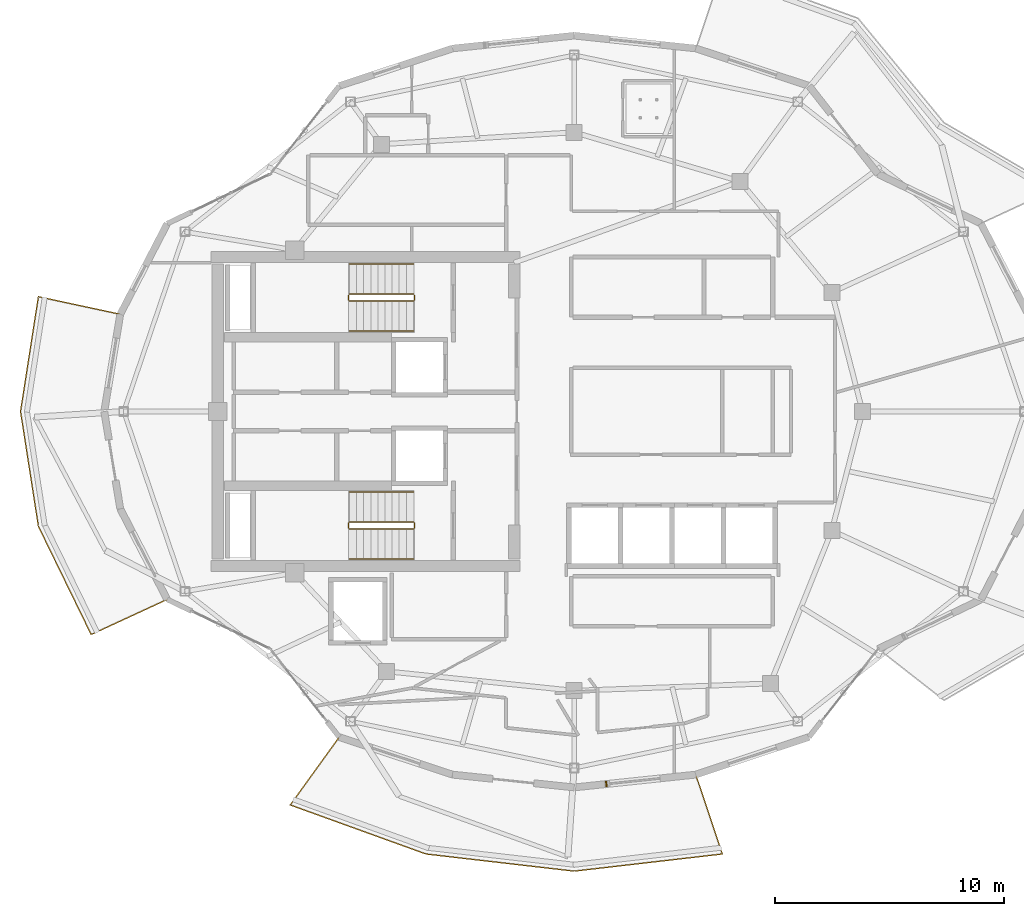
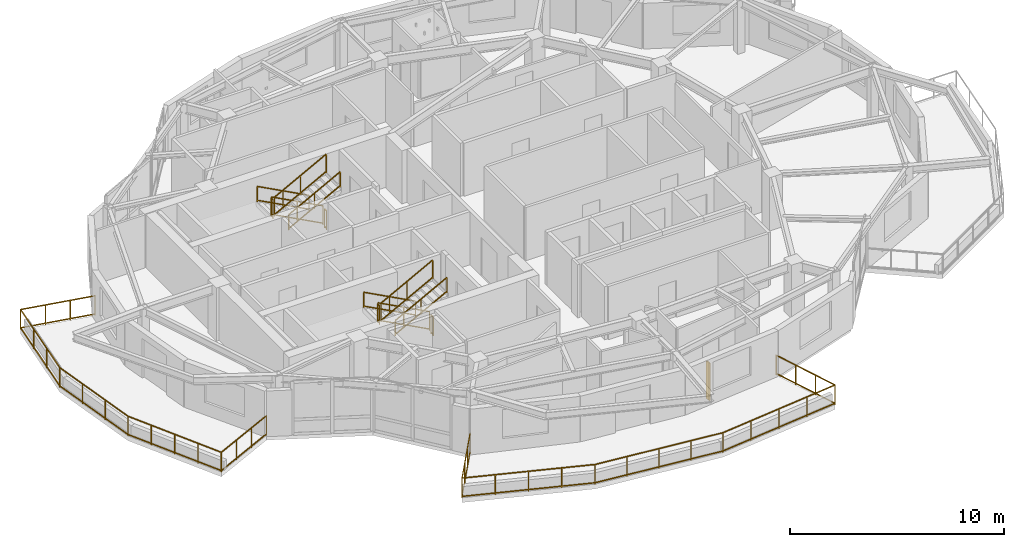
# One storey, part 14 of 15: 14 railings, 1 shading device.
"""IFC4 building model written with IfcOpenShell, lengths in metres."""

from ifc_helpers import new_model, si_unit, direction, frame, origin, origin_2d, place, context, subcontext, project, spatial, rectangle, extrude, material, type_object, element, save


model = new_model("IFC4")

# Units and contexts
model_context = context("Model", 3, precision=1e-05, world=origin(), true_north=direction((0.0, 1.0)))
body_context = subcontext(model_context, "Body", "Model", "MODEL_VIEW")
ifc_project = project(units=[si_unit("LENGTHUNIT", "METRE"), si_unit("AREAUNIT", "SQUARE_METRE"), si_unit("VOLUMEUNIT", "CUBIC_METRE"), si_unit("PLANEANGLEUNIT", "RADIAN"), si_unit("MASSUNIT", "GRAM", prefix="KILO")], contexts=[model_context])

# Site, building, storey
site_placement = place(None, origin())
site = spatial("IfcSite", under=ifc_project, at=site_placement, CompositionType="ELEMENT")
building_placement = place(site_placement, origin())
building = spatial("IfcBuilding", under=site, at=building_placement, Name="Kolvaren Gate Tower and Convention Centre", CompositionType="ELEMENT")
storey_placement = place(building_placement, frame((0.0, 0.0, 265.699951171875)))
storey = spatial("IfcBuildingStorey", under=building, at=storey_placement, Name="L72", CompositionType="ELEMENT", Elevation=265.699951171875)

# Railings
ifc_material_1 = material(Name="Brushed Stainless Steel Grade 316L", Category="steel")
railing_type_1 = type_object("IfcRailingType", Name="ARCH-RL-GUARD-1150", PredefinedType="GUARDRAIL", material=ifc_material_1)
railing_1_placement = place(storey_placement, frame((23.10009765625, 32.1298828125, 0.1650390625)))
element("IfcRailing", 1, at=railing_1_placement, inside=storey, type_object=railing_type_1, Name="L72 ST-T1 stair guard 1", PredefinedType="GUARDRAIL", context=body_context, shape_type="SweptSolid", body=[
    extrude(rectangle(XDim=0.048095703125, YDim=0.048095703125, at=origin_2d()), frame((0.0, 0.0, 1.076171875), z_axis=(-0.882735390775, 0.0, 0.469870439454), x_axis=(0.0, -1.0, 0.0)), (0.0, 0.0, 1.0), 3.16064453125),
    extrude(rectangle(XDim=0.048095703125, YDim=0.048095703125, at=origin_2d()), frame((0.0, 0.0, 0.083984375), z_axis=(-0.882735390775, 0.0, 0.469870439454), x_axis=(0.0, -1.0, 0.0)), (0.0, 0.0, 1.0), 3.16064453125),
    extrude(rectangle(XDim=0.0419921875, YDim=0.0419921875, at=origin_2d()), origin(), (0.0, 0.0, 1.0), 1.050048828125),
    extrude(rectangle(XDim=0.0419921875, YDim=0.0419921875, at=origin_2d()), frame((-2.7900390625, 0.0, 1.485107421875)), (0.0, 0.0, 1.0), 1.050048828125),
    extrude(rectangle(XDim=0.0419921875, YDim=0.0419921875, at=origin_2d()), frame((-1.39501953125, 0.0, 0.74267578125)), (0.0, 0.0, 1.0), 1.050048828125),
])
railing_2_placement = place(storey_placement, frame((20.260009765625, 32.080078125, 1.650146484375)))
element("IfcRailing", 2, at=railing_2_placement, inside=storey, type_object=railing_type_1, Name="L72 ST-T1 stair guard 2", PredefinedType="GUARDRAIL", context=body_context, shape_type="SweptSolid", body=[
    extrude(rectangle(XDim=0.048095703125, YDim=0.048095703125, at=origin_2d()), frame((0.0, 0.0, 1.076171875), z_axis=(0.0, -1.0, 0.0), x_axis=(1.0, 0.0, 0.0)), (0.0, 0.0, 1.0), 0.2001953125),
    extrude(rectangle(XDim=0.048095703125, YDim=0.048095703125, at=origin_2d()), frame((0.0, 0.0, 0.083984375), z_axis=(0.0, -1.0, 0.0), x_axis=(1.0, 0.0, 0.0)), (0.0, 0.0, 1.0), 0.2001953125),
    extrude(rectangle(XDim=0.0419921875, YDim=0.0419921875, at=origin_2d()), origin(), (0.0, 0.0, 1.0), 1.050048828125),
    extrude(rectangle(XDim=0.0419921875, YDim=0.0419921875, at=origin_2d()), frame((0.0, -0.2001953125, 0.0)), (0.0, 0.0, 1.0), 1.050048828125),
])
railing_3_placement = place(storey_placement, frame((20.31005859375, 31.830078125, 1.81494140625)))
element("IfcRailing", 3, at=railing_3_placement, inside=storey, type_object=railing_type_1, Name="L72 ST-T1 stair guard 3", PredefinedType="GUARDRAIL", context=body_context, shape_type="SweptSolid", body=[
    extrude(rectangle(XDim=0.048095703125, YDim=0.048095703125, at=origin_2d()), frame((0.0, 0.0, 1.076171875), z_axis=(0.882735390775, 0.0, 0.469870439454), x_axis=(0.0, 1.0, 0.0)), (0.0, 0.0, 1.0), 3.16064453125),
    extrude(rectangle(XDim=0.048095703125, YDim=0.048095703125, at=origin_2d()), frame((0.0, 0.0, 0.083984375), z_axis=(0.882735390775, 0.0, 0.469870439454), x_axis=(0.0, 1.0, 0.0)), (0.0, 0.0, 1.0), 3.16064453125),
    extrude(rectangle(XDim=0.0419921875, YDim=0.0419921875, at=origin_2d()), origin(), (0.0, 0.0, 1.0), 1.050048828125),
    extrude(rectangle(XDim=0.0419921875, YDim=0.0419921875, at=origin_2d()), frame((2.7900390625, 0.0, 1.485107421875)), (0.0, 0.0, 1.0), 1.050048828125),
    extrude(rectangle(XDim=0.0419921875, YDim=0.0419921875, at=origin_2d()), frame((1.39501953125, 0.0, 0.74267578125)), (0.0, 0.0, 1.0), 1.050048828125),
])
railing_4_placement = place(storey_placement, frame((23.14990234375, 32.080078125, 0.0)))
element("IfcRailing", 4, at=railing_4_placement, inside=storey, type_object=railing_type_1, Name="L72 ST-T1 stair guard 4", PredefinedType="GUARDRAIL", context=body_context, shape_type="SweptSolid", body=[
    extrude(rectangle(XDim=0.048095703125, YDim=0.048095703125, at=origin_2d()), frame((0.0, 0.0, 1.076171875), z_axis=(0.0, -1.0, 0.0), x_axis=(1.0, 0.0, 0.0)), (0.0, 0.0, 1.0), 0.2001953125),
    extrude(rectangle(XDim=0.048095703125, YDim=0.048095703125, at=origin_2d()), frame((0.0, 0.0, 0.083984375), z_axis=(0.0, -1.0, 0.0), x_axis=(1.0, 0.0, 0.0)), (0.0, 0.0, 1.0), 0.2001953125),
    extrude(rectangle(XDim=0.0419921875, YDim=0.0419921875, at=origin_2d()), origin(), (0.0, 0.0, 1.0), 1.050048828125),
    extrude(rectangle(XDim=0.0419921875, YDim=0.0419921875, at=origin_2d()), frame((0.0, -0.2001953125, 0.0)), (0.0, 0.0, 1.0), 1.050048828125),
])
railing_5_placement = place(storey_placement, frame((23.10009765625, 22.169921875, 0.1650390625)))
element("IfcRailing", 5, at=railing_5_placement, inside=storey, type_object=railing_type_1, Name="L72 ST-T2 stair guard 1", PredefinedType="GUARDRAIL", context=body_context, shape_type="SweptSolid", body=[
    extrude(rectangle(XDim=0.048095703125, YDim=0.048095703125, at=origin_2d()), frame((0.0, 0.0, 1.076171875), z_axis=(-0.882735390775, 0.0, 0.469870439454), x_axis=(0.0, -1.0, 0.0)), (0.0, 0.0, 1.0), 3.16064453125),
    extrude(rectangle(XDim=0.048095703125, YDim=0.048095703125, at=origin_2d()), frame((0.0, 0.0, 0.083984375), z_axis=(-0.882735390775, 0.0, 0.469870439454), x_axis=(0.0, -1.0, 0.0)), (0.0, 0.0, 1.0), 3.16064453125),
    extrude(rectangle(XDim=0.0419921875, YDim=0.0419921875, at=origin_2d()), origin(), (0.0, 0.0, 1.0), 1.050048828125),
    extrude(rectangle(XDim=0.0419921875, YDim=0.0419921875, at=origin_2d()), frame((-2.7900390625, 0.0, 1.485107421875)), (0.0, 0.0, 1.0), 1.050048828125),
    extrude(rectangle(XDim=0.0419921875, YDim=0.0419921875, at=origin_2d()), frame((-1.39501953125, 0.0, 0.74267578125)), (0.0, 0.0, 1.0), 1.050048828125),
])
railing_6_placement = place(storey_placement, frame((20.260009765625, 22.1201171875, 1.650146484375)))
element("IfcRailing", 6, at=railing_6_placement, inside=storey, type_object=railing_type_1, Name="L72 ST-T2 stair guard 2", PredefinedType="GUARDRAIL", context=body_context, shape_type="SweptSolid", body=[
    extrude(rectangle(XDim=0.048095703125, YDim=0.048095703125, at=origin_2d()), frame((0.0, 0.0, 1.076171875), z_axis=(0.0, -1.0, 0.0), x_axis=(1.0, 0.0, 0.0)), (0.0, 0.0, 1.0), 0.2001953125),
    extrude(rectangle(XDim=0.048095703125, YDim=0.048095703125, at=origin_2d()), frame((0.0, 0.0, 0.083984375), z_axis=(0.0, -1.0, 0.0), x_axis=(1.0, 0.0, 0.0)), (0.0, 0.0, 1.0), 0.2001953125),
    extrude(rectangle(XDim=0.0419921875, YDim=0.0419921875, at=origin_2d()), origin(), (0.0, 0.0, 1.0), 1.050048828125),
    extrude(rectangle(XDim=0.0419921875, YDim=0.0419921875, at=origin_2d()), frame((0.0, -0.2001953125, 0.0)), (0.0, 0.0, 1.0), 1.050048828125),
])
railing_7_placement = place(storey_placement, frame((20.31005859375, 21.8701171875, 1.81494140625)))
element("IfcRailing", 7, at=railing_7_placement, inside=storey, type_object=railing_type_1, Name="L72 ST-T2 stair guard 3", PredefinedType="GUARDRAIL", context=body_context, shape_type="SweptSolid", body=[
    extrude(rectangle(XDim=0.048095703125, YDim=0.048095703125, at=origin_2d()), frame((0.0, 0.0, 1.076171875), z_axis=(0.882735390775, 0.0, 0.469870439454), x_axis=(0.0, 1.0, 0.0)), (0.0, 0.0, 1.0), 3.16064453125),
    extrude(rectangle(XDim=0.048095703125, YDim=0.048095703125, at=origin_2d()), frame((0.0, 0.0, 0.083984375), z_axis=(0.882735390775, 0.0, 0.469870439454), x_axis=(0.0, 1.0, 0.0)), (0.0, 0.0, 1.0), 3.16064453125),
    extrude(rectangle(XDim=0.0419921875, YDim=0.0419921875, at=origin_2d()), origin(), (0.0, 0.0, 1.0), 1.050048828125),
    extrude(rectangle(XDim=0.0419921875, YDim=0.0419921875, at=origin_2d()), frame((2.7900390625, 0.0, 1.485107421875)), (0.0, 0.0, 1.0), 1.050048828125),
    extrude(rectangle(XDim=0.0419921875, YDim=0.0419921875, at=origin_2d()), frame((1.39501953125, 0.0, 0.74267578125)), (0.0, 0.0, 1.0), 1.050048828125),
])
railing_8_placement = place(storey_placement, frame((23.14990234375, 22.1201171875, 0.0)))
element("IfcRailing", 8, at=railing_8_placement, inside=storey, type_object=railing_type_1, Name="L72 ST-T2 stair guard 4", PredefinedType="GUARDRAIL", context=body_context, shape_type="SweptSolid", body=[
    extrude(rectangle(XDim=0.048095703125, YDim=0.048095703125, at=origin_2d()), frame((0.0, 0.0, 1.076171875), z_axis=(0.0, -1.0, 0.0), x_axis=(1.0, 0.0, 0.0)), (0.0, 0.0, 1.0), 0.2001953125),
    extrude(rectangle(XDim=0.048095703125, YDim=0.048095703125, at=origin_2d()), frame((0.0, 0.0, 0.083984375), z_axis=(0.0, -1.0, 0.0), x_axis=(1.0, 0.0, 0.0)), (0.0, 0.0, 1.0), 0.2001953125),
    extrude(rectangle(XDim=0.0419921875, YDim=0.0419921875, at=origin_2d()), origin(), (0.0, 0.0, 1.0), 1.050048828125),
    extrude(rectangle(XDim=0.0419921875, YDim=0.0419921875, at=origin_2d()), frame((0.0, -0.2001953125, 0.0)), (0.0, 0.0, 1.0), 1.050048828125),
])
railing_9_placement = place(storey_placement, frame((10.293212890625, 31.251220703125, 0.0)))
element("IfcRailing", 9, at=railing_9_placement, inside=storey, type_object=railing_type_1, Name="Tower L72 Terrace Perimeter Guardrail GR-2", PredefinedType="GUARDRAIL", context=body_context, shape_type="SweptSolid", body=[
    extrude(rectangle(XDim=0.048095703125, YDim=0.048095703125, at=origin_2d()), frame((-0.02734375, 0.005859375, 1.1259765625), z_axis=(-0.977788745232, 0.209592866525, 0.0), x_axis=(-0.209592866525, -0.977788745232, 0.0)), (0.0, 0.0, 1.0), 3.603759765625),
    extrude(rectangle(XDim=0.048095703125, YDim=0.048095703125, at=origin_2d()), frame((-0.02734375, 0.005859375, 0.083984375), z_axis=(-0.977788745232, 0.209592866525, 0.0), x_axis=(-0.209592866525, -0.977788745232, 0.0)), (0.0, 0.0, 1.0), 3.603759765625),
    extrude(rectangle(XDim=0.048095703125, YDim=0.048095703125, at=origin_2d()), frame((-3.5830078125, 0.7392578125, 1.1259765625), z_axis=(-0.153733081728, -0.988112412422, 0.0), x_axis=(0.988112412422, -0.153733081728, 0.0)), (0.0, 0.0, 1.0), 5.022705078125),
    extrude(rectangle(XDim=0.048095703125, YDim=0.048095703125, at=origin_2d()), frame((-3.5830078125, 0.7392578125, 0.083984375), z_axis=(-0.153733081728, -0.988112412422, 0.0), x_axis=(0.988112412422, -0.153733081728, 0.0)), (0.0, 0.0, 1.0), 5.022705078125),
    extrude(rectangle(XDim=0.048095703125, YDim=0.048095703125, at=origin_2d()), frame((-4.35498046875, -4.279052734375, 1.1259765625), z_axis=(0.153733081728, -0.988112412422, 0.0), x_axis=(0.988112412422, 0.153733081728, 0.0)), (0.0, 0.0, 1.0), 5.022705078125),
    extrude(rectangle(XDim=0.048095703125, YDim=0.048095703125, at=origin_2d()), frame((-4.35498046875, -4.279052734375, 0.083984375), z_axis=(0.153733081728, -0.988112412422, 0.0), x_axis=(0.988112412422, 0.153733081728, 0.0)), (0.0, 0.0, 1.0), 5.022705078125),
    extrude(rectangle(XDim=0.048095703125, YDim=0.048095703125, at=origin_2d()), frame((-3.56640625, -9.294677734375, 1.1259765625), z_axis=(0.438469339137, -0.898746148051, 0.0), x_axis=(0.898746148051, 0.438469339137, 0.0)), (0.0, 0.0, 1.0), 5.20556640625),
    extrude(rectangle(XDim=0.048095703125, YDim=0.048095703125, at=origin_2d()), frame((-3.56640625, -9.294677734375, 0.083984375), z_axis=(0.438469339137, -0.898746148051, 0.0), x_axis=(0.898746148051, 0.438469339137, 0.0)), (0.0, 0.0, 1.0), 5.20556640625),
    extrude(rectangle(XDim=0.048095703125, YDim=0.048095703125, at=origin_2d()), frame((-1.24609375, -13.98681640625, 1.1259765625), z_axis=(0.907820723829, 0.419358478377, 0.0), x_axis=(-0.419358478377, 0.907820723829, 0.0)), (0.0, 0.0, 1.0), 3.60400390625),
    extrude(rectangle(XDim=0.048095703125, YDim=0.048095703125, at=origin_2d()), frame((-1.24609375, -13.98681640625, 0.083984375), z_axis=(0.907820723829, 0.419358478377, 0.0), x_axis=(-0.419358478377, 0.907820723829, 0.0)), (0.0, 0.0, 1.0), 3.60400390625),
    extrude(rectangle(XDim=0.0419921875, YDim=0.0419921875, at=origin_2d()), origin(), (0.0, 0.0, 1.0), 1.14990234375),
    extrude(rectangle(XDim=0.0419921875, YDim=0.0419921875, at=origin_2d()), frame((-3.57861328125, 0.76708984375, 0.0)), (0.0, 0.0, 1.0), 1.14990234375),
    extrude(rectangle(XDim=0.0419921875, YDim=0.0419921875, at=origin_2d()), frame((-1.19287109375, 0.255615234375, 0.0)), (0.0, 0.0, 1.0), 1.099853515625),
    extrude(rectangle(XDim=0.0419921875, YDim=0.0419921875, at=origin_2d()), frame((-2.3857421875, 0.511474609375, 0.0)), (0.0, 0.0, 1.0), 1.099853515625),
    extrude(rectangle(XDim=0.0419921875, YDim=0.0419921875, at=origin_2d()), frame((-4.359375, -4.251220703125, 0.0)), (0.0, 0.0, 1.0), 1.14990234375),
    extrude(rectangle(XDim=0.0419921875, YDim=0.0419921875, at=origin_2d()), frame((-3.8388671875, -0.90576171875, 0.0)), (0.0, 0.0, 1.0), 1.099853515625),
    extrude(rectangle(XDim=0.0419921875, YDim=0.0419921875, at=origin_2d()), frame((-4.09912109375, -2.578369140625, 0.0)), (0.0, 0.0, 1.0), 1.099853515625),
    extrude(rectangle(XDim=0.0419921875, YDim=0.0419921875, at=origin_2d()), frame((-3.57861328125, -9.26953125, 0.0)), (0.0, 0.0, 1.0), 1.14990234375),
    extrude(rectangle(XDim=0.0419921875, YDim=0.0419921875, at=origin_2d()), frame((-4.09912109375, -5.924072265625, 0.0)), (0.0, 0.0, 1.0), 1.099853515625),
    extrude(rectangle(XDim=0.0419921875, YDim=0.0419921875, at=origin_2d()), frame((-3.8388671875, -7.5966796875, 0.0)), (0.0, 0.0, 1.0), 1.099853515625),
    extrude(rectangle(XDim=0.0419921875, YDim=0.0419921875, at=origin_2d()), frame((-1.271484375, -13.99853515625, 0.0)), (0.0, 0.0, 1.0), 1.14990234375),
    extrude(rectangle(XDim=0.0419921875, YDim=0.0419921875, at=origin_2d()), frame((-3.001953125, -10.45166015625, 0.0)), (0.0, 0.0, 1.0), 1.099853515625),
    extrude(rectangle(XDim=0.0419921875, YDim=0.0419921875, at=origin_2d()), frame((-2.425048828125, -11.634033203125, 0.0)), (0.0, 0.0, 1.0), 1.099853515625),
    extrude(rectangle(XDim=0.0419921875, YDim=0.0419921875, at=origin_2d()), frame((-1.84814453125, -12.81640625, 0.0)), (0.0, 0.0, 1.0), 1.099853515625),
    extrude(rectangle(XDim=0.0419921875, YDim=0.0419921875, at=origin_2d()), frame((2.05126953125, -12.463623046875, 0.0)), (0.0, 0.0, 1.0), 1.14990234375),
    extrude(rectangle(XDim=0.0419921875, YDim=0.0419921875, at=origin_2d()), frame((-0.163818359375, -13.48681640625, 0.0)), (0.0, 0.0, 1.0), 1.099853515625),
    extrude(rectangle(XDim=0.0419921875, YDim=0.0419921875, at=origin_2d()), frame((0.943603515625, -12.975341796875, 0.0)), (0.0, 0.0, 1.0), 1.099853515625),
])
railing_10_placement = place(storey_placement, frame((19.859375, 12.775390625, 0.0)))
element("IfcRailing", 10, at=railing_10_placement, inside=storey, type_object=railing_type_1, Name="Tower L72 Terrace Perimeter Guardrail GR-3", PredefinedType="GUARDRAIL", context=body_context, shape_type="SweptSolid", body=[
    extrude(rectangle(XDim=0.048095703125, YDim=0.048095703125, at=origin_2d()), frame((-0.016357421875, -0.022705078125, 1.1259765625), z_axis=(-0.585212870465, -0.810879705161, 0.0), x_axis=(0.810879705161, -0.585212870465, 0.0)), (0.0, 0.0, 1.0), 3.603759765625),
    extrude(rectangle(XDim=0.048095703125, YDim=0.048095703125, at=origin_2d()), frame((-0.016357421875, -0.022705078125, 0.083984375), z_axis=(-0.585212870465, -0.810879705161, 0.0), x_axis=(0.810879705161, -0.585212870465, 0.0)), (0.0, 0.0, 1.0), 3.603759765625),
    extrude(rectangle(XDim=0.048095703125, YDim=0.048095703125, at=origin_2d()), frame((-2.115478515625, -2.977294921875, 1.1259765625), z_axis=(0.940477613992, -0.339855642267, 0.0), x_axis=(0.339855642267, 0.940477613992, 0.0)), (0.0, 0.0, 1.0), 6.25048828125),
    extrude(rectangle(XDim=0.048095703125, YDim=0.048095703125, at=origin_2d()), frame((-2.115478515625, -2.977294921875, 0.083984375), z_axis=(0.940477613992, -0.339855642267, 0.0), x_axis=(0.339855642267, 0.940477613992, 0.0)), (0.0, 0.0, 1.0), 6.25048828125),
    extrude(rectangle(XDim=0.048095703125, YDim=0.048095703125, at=origin_2d()), frame((3.817138671875, -5.1142578125, 1.1259765625), z_axis=(0.993373956815, -0.114926854656, 0.0), x_axis=(0.114926854656, 0.993373956815, 0.0)), (0.0, 0.0, 1.0), 6.46337890625),
    extrude(rectangle(XDim=0.048095703125, YDim=0.048095703125, at=origin_2d()), frame((3.817138671875, -5.1142578125, 0.083984375), z_axis=(0.993373956815, -0.114926854656, 0.0), x_axis=(0.114926854656, 0.993373956815, 0.0)), (0.0, 0.0, 1.0), 6.46337890625),
    extrude(rectangle(XDim=0.048095703125, YDim=0.048095703125, at=origin_2d()), frame((10.29345703125, -5.857177734375, 1.1259765625), z_axis=(0.993373956815, 0.114926854656, 0.0), x_axis=(-0.114926854656, 0.993373956815, 0.0)), (0.0, 0.0, 1.0), 6.46337890625),
    extrude(rectangle(XDim=0.048095703125, YDim=0.048095703125, at=origin_2d()), frame((10.29345703125, -5.857177734375, 0.083984375), z_axis=(0.993373956815, 0.114926854656, 0.0), x_axis=(-0.114926854656, 0.993373956815, 0.0)), (0.0, 0.0, 1.0), 6.46337890625),
    extrude(rectangle(XDim=0.048095703125, YDim=0.048095703125, at=origin_2d()), frame((16.733154296875, -5.08447265625, 1.1259765625), z_axis=(-0.317588247294, 0.948228719867, 0.0), x_axis=(-0.948228719867, -0.317588247294, 0.0)), (0.0, 0.0, 1.0), 3.603759765625),
    extrude(rectangle(XDim=0.048095703125, YDim=0.048095703125, at=origin_2d()), frame((16.733154296875, -5.08447265625, 0.083984375), z_axis=(-0.317588247294, 0.948228719867, 0.0), x_axis=(-0.948228719867, -0.317588247294, 0.0)), (0.0, 0.0, 1.0), 3.603759765625),
    extrude(rectangle(XDim=0.0419921875, YDim=0.0419921875, at=origin_2d()), origin(), (0.0, 0.0, 1.0), 1.14990234375),
    extrude(rectangle(XDim=0.0419921875, YDim=0.0419921875, at=origin_2d()), frame((-2.141845703125, -2.9677734375, 0.0)), (0.0, 0.0, 1.0), 1.14990234375),
    extrude(rectangle(XDim=0.0419921875, YDim=0.0419921875, at=origin_2d()), frame((-0.7138671875, -0.9892578125, 0.0)), (0.0, 0.0, 1.0), 1.099853515625),
    extrude(rectangle(XDim=0.0419921875, YDim=0.0419921875, at=origin_2d()), frame((-1.427978515625, -1.978515625, 0.0)), (0.0, 0.0, 1.0), 1.099853515625),
    extrude(rectangle(XDim=0.0419921875, YDim=0.0419921875, at=origin_2d()), frame((3.789306640625, -5.111083984375, 0.0)), (0.0, 0.0, 1.0), 1.14990234375),
    extrude(rectangle(XDim=0.0419921875, YDim=0.0419921875, at=origin_2d()), frame((-0.6591796875, -3.503662109375, 0.0)), (0.0, 0.0, 1.0), 1.099853515625),
    extrude(rectangle(XDim=0.0419921875, YDim=0.0419921875, at=origin_2d()), frame((0.82373046875, -4.03955078125, 0.0)), (0.0, 0.0, 1.0), 1.099853515625),
    extrude(rectangle(XDim=0.0419921875, YDim=0.0419921875, at=origin_2d()), frame((2.306640625, -4.5751953125, 0.0)), (0.0, 0.0, 1.0), 1.099853515625),
    extrude(rectangle(XDim=0.0419921875, YDim=0.0419921875, at=origin_2d()), frame((10.265625, -5.8603515625, 0.0)), (0.0, 0.0, 1.0), 1.14990234375),
    extrude(rectangle(XDim=0.0419921875, YDim=0.0419921875, at=origin_2d()), frame((5.408447265625, -5.29833984375, 0.0)), (0.0, 0.0, 1.0), 1.099853515625),
    extrude(rectangle(XDim=0.0419921875, YDim=0.0419921875, at=origin_2d()), frame((7.02734375, -5.48583984375, 0.0)), (0.0, 0.0, 1.0), 1.099853515625),
    extrude(rectangle(XDim=0.0419921875, YDim=0.0419921875, at=origin_2d()), frame((8.646484375, -5.673095703125, 0.0)), (0.0, 0.0, 1.0), 1.099853515625),
    extrude(rectangle(XDim=0.0419921875, YDim=0.0419921875, at=origin_2d()), frame((16.741943359375, -5.111083984375, 0.0)), (0.0, 0.0, 1.0), 1.14990234375),
    extrude(rectangle(XDim=0.0419921875, YDim=0.0419921875, at=origin_2d()), frame((11.884765625, -5.673095703125, 0.0)), (0.0, 0.0, 1.0), 1.099853515625),
    extrude(rectangle(XDim=0.0419921875, YDim=0.0419921875, at=origin_2d()), frame((13.50390625, -5.48583984375, 0.0)), (0.0, 0.0, 1.0), 1.099853515625),
    extrude(rectangle(XDim=0.0419921875, YDim=0.0419921875, at=origin_2d()), frame((15.122802734375, -5.29833984375, 0.0)), (0.0, 0.0, 1.0), 1.099853515625),
    extrude(rectangle(XDim=0.0419921875, YDim=0.0419921875, at=origin_2d()), frame((15.57958984375, -1.640625, 0.0)), (0.0, 0.0, 1.0), 1.14990234375),
    extrude(rectangle(XDim=0.0419921875, YDim=0.0419921875, at=origin_2d()), frame((16.3544921875, -3.954345703125, 0.0)), (0.0, 0.0, 1.0), 1.099853515625),
    extrude(rectangle(XDim=0.0419921875, YDim=0.0419921875, at=origin_2d()), frame((15.967041015625, -2.79736328125, 0.0)), (0.0, 0.0, 1.0), 1.099853515625),
])
railing_type_2 = type_object("IfcRailingType", Name="ARCH-RL-HANDRAIL-920", PredefinedType="HANDRAIL", material=ifc_material_1)
railing_11_placement = place(storey_placement, frame((23.10009765625, 33.449951171875, 0.1650390625)))
element("IfcRailing", 11, at=railing_11_placement, inside=storey, type_object=railing_type_2, Name="L72 ST-T1 stair handrail 1", PredefinedType="HANDRAIL", context=body_context, shape_type="SweptSolid", body=[
    extrude(rectangle(XDim=0.048095703125, YDim=0.048095703125, at=origin_2d()), frame((0.0, 0.0, 0.8759765625), z_axis=(-0.882735390775, 0.0, 0.469870439454), x_axis=(0.0, -1.0, 0.0)), (0.0, 0.0, 1.0), 3.16064453125),
    extrude(rectangle(XDim=0.048095703125, YDim=0.048095703125, at=origin_2d()), frame((0.0, 0.0, 0.083984375), z_axis=(-0.882735390775, 0.0, 0.469870439454), x_axis=(0.0, -1.0, 0.0)), (0.0, 0.0, 1.0), 3.16064453125),
    extrude(rectangle(XDim=0.0419921875, YDim=0.0419921875, at=origin_2d()), origin(), (0.0, 0.0, 1.0), 0.849853515625),
    extrude(rectangle(XDim=0.0419921875, YDim=0.0419921875, at=origin_2d()), frame((-2.7900390625, 0.0, 1.485107421875)), (0.0, 0.0, 1.0), 0.849853515625),
    extrude(rectangle(XDim=0.0419921875, YDim=0.0419921875, at=origin_2d()), frame((-1.39501953125, 0.0, 0.74267578125)), (0.0, 0.0, 1.0), 0.849853515625),
])
railing_12_placement = place(storey_placement, frame((20.31005859375, 30.510009765625, 1.81494140625)))
element("IfcRailing", 12, at=railing_12_placement, inside=storey, type_object=railing_type_2, Name="L72 ST-T1 stair handrail 2", PredefinedType="HANDRAIL", context=body_context, shape_type="SweptSolid", body=[
    extrude(rectangle(XDim=0.048095703125, YDim=0.048095703125, at=origin_2d()), frame((0.0, 0.0, 0.8759765625), z_axis=(0.882735390775, 0.0, 0.469870439454), x_axis=(0.0, 1.0, 0.0)), (0.0, 0.0, 1.0), 3.16064453125),
    extrude(rectangle(XDim=0.048095703125, YDim=0.048095703125, at=origin_2d()), frame((0.0, 0.0, 0.083984375), z_axis=(0.882735390775, 0.0, 0.469870439454), x_axis=(0.0, 1.0, 0.0)), (0.0, 0.0, 1.0), 3.16064453125),
    extrude(rectangle(XDim=0.0419921875, YDim=0.0419921875, at=origin_2d()), origin(), (0.0, 0.0, 1.0), 0.849853515625),
    extrude(rectangle(XDim=0.0419921875, YDim=0.0419921875, at=origin_2d()), frame((2.7900390625, 0.0, 1.485107421875)), (0.0, 0.0, 1.0), 0.849853515625),
    extrude(rectangle(XDim=0.0419921875, YDim=0.0419921875, at=origin_2d()), frame((1.39501953125, 0.0, 0.74267578125)), (0.0, 0.0, 1.0), 0.849853515625),
])
railing_13_placement = place(storey_placement, frame((23.10009765625, 23.489990234375, 0.1650390625)))
element("IfcRailing", 13, at=railing_13_placement, inside=storey, type_object=railing_type_2, Name="L72 ST-T2 stair handrail 1", PredefinedType="HANDRAIL", context=body_context, shape_type="SweptSolid", body=[
    extrude(rectangle(XDim=0.048095703125, YDim=0.048095703125, at=origin_2d()), frame((0.0, 0.0, 0.8759765625), z_axis=(-0.882735390775, 0.0, 0.469870439454), x_axis=(0.0, -1.0, 0.0)), (0.0, 0.0, 1.0), 3.16064453125),
    extrude(rectangle(XDim=0.048095703125, YDim=0.048095703125, at=origin_2d()), frame((0.0, 0.0, 0.083984375), z_axis=(-0.882735390775, 0.0, 0.469870439454), x_axis=(0.0, -1.0, 0.0)), (0.0, 0.0, 1.0), 3.16064453125),
    extrude(rectangle(XDim=0.0419921875, YDim=0.0419921875, at=origin_2d()), origin(), (0.0, 0.0, 1.0), 0.849853515625),
    extrude(rectangle(XDim=0.0419921875, YDim=0.0419921875, at=origin_2d()), frame((-2.7900390625, 0.0, 1.485107421875)), (0.0, 0.0, 1.0), 0.849853515625),
    extrude(rectangle(XDim=0.0419921875, YDim=0.0419921875, at=origin_2d()), frame((-1.39501953125, 0.0, 0.74267578125)), (0.0, 0.0, 1.0), 0.849853515625),
])
railing_14_placement = place(storey_placement, frame((20.31005859375, 20.550048828125, 1.81494140625)))
element("IfcRailing", 14, at=railing_14_placement, inside=storey, type_object=railing_type_2, Name="L72 ST-T2 stair handrail 2", PredefinedType="HANDRAIL", context=body_context, shape_type="SweptSolid", body=[
    extrude(rectangle(XDim=0.048095703125, YDim=0.048095703125, at=origin_2d()), frame((0.0, 0.0, 0.8759765625), z_axis=(0.882735390775, 0.0, 0.469870439454), x_axis=(0.0, 1.0, 0.0)), (0.0, 0.0, 1.0), 3.16064453125),
    extrude(rectangle(XDim=0.048095703125, YDim=0.048095703125, at=origin_2d()), frame((0.0, 0.0, 0.083984375), z_axis=(0.882735390775, 0.0, 0.469870439454), x_axis=(0.0, 1.0, 0.0)), (0.0, 0.0, 1.0), 3.16064453125),
    extrude(rectangle(XDim=0.0419921875, YDim=0.0419921875, at=origin_2d()), origin(), (0.0, 0.0, 1.0), 0.849853515625),
    extrude(rectangle(XDim=0.0419921875, YDim=0.0419921875, at=origin_2d()), frame((2.7900390625, 0.0, 1.485107421875)), (0.0, 0.0, 1.0), 0.849853515625),
    extrude(rectangle(XDim=0.0419921875, YDim=0.0419921875, at=origin_2d()), frame((1.39501953125, 0.0, 0.74267578125)), (0.0, 0.0, 1.0), 0.849853515625),
])

# Shading device
ifc_material_2 = material(Name="Kiln-Fired Bogota Terracotta Ceramic Louvre Profile", Category="masonry")
shading_device_type = type_object("IfcShadingDeviceType", Name="ARCH-SHD-FIN-180", PredefinedType="JALOUSIE", material=ifc_material_2)
shading_device_placement = place(storey_placement, frame((31.529296875, 10.722900390625, 0.22021484375), z_axis=(0.0, 0.0, 1.0), x_axis=(0.994498701491, 0.104748903254, 0.0)))
element("IfcShadingDevice", 15, at=shading_device_placement, inside=storey, type_object=shading_device_type, Name="Ceramic Vertical Brise-Soleil Fin FN-L72-18", PredefinedType="JALOUSIE", context=body_context, shape_type="SweptSolid", body=[
    extrude(rectangle(XDim=0.06005859375, YDim=0.239990234375, at=origin_2d()), origin(), (0.0, 0.0, 1.0), 2.14990234375),
])

save(model, "model.ifc")
